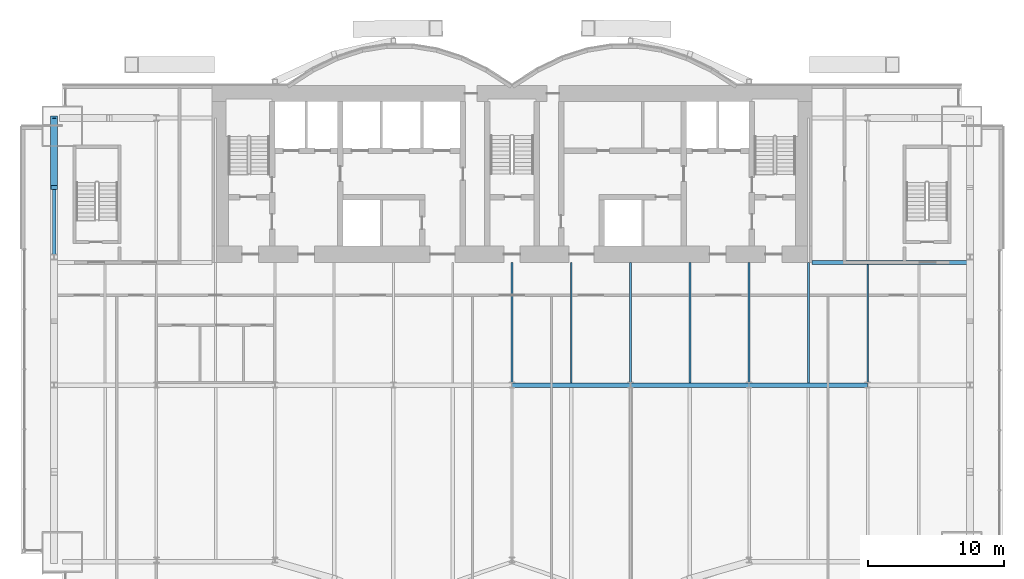
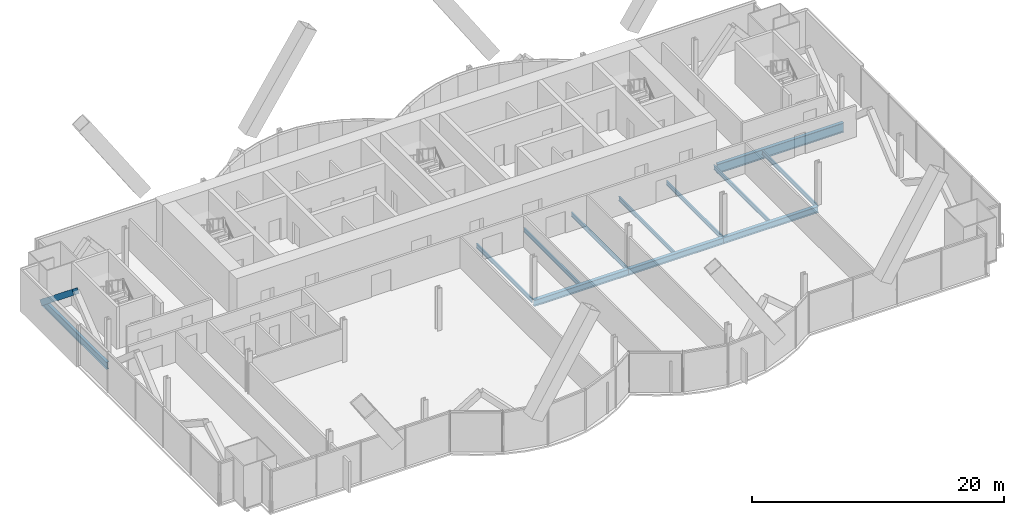
# One storey, part 9 of 21: 12 beams, 1 member.
"""IFC4 building model written with IfcOpenShell, lengths in metres."""

from ifc_helpers import new_model, si_unit, direction, frame, origin, origin_2d, place, context, subcontext, project, spatial, hollow_rectangle, i_section, extrude, material, material_profile, profile_set, type_object, element, save


model = new_model("IFC4")

# Units and contexts
model_context = context("Model", 3, precision=1e-05, world=origin(), true_north=direction((0.0, 1.0)))
body_context = subcontext(model_context, "Body", "Model", "MODEL_VIEW")
ifc_project = project(units=[si_unit("LENGTHUNIT", "METRE"), si_unit("AREAUNIT", "SQUARE_METRE"), si_unit("VOLUMEUNIT", "CUBIC_METRE"), si_unit("PLANEANGLEUNIT", "RADIAN"), si_unit("MASSUNIT", "GRAM", prefix="KILO")], contexts=[model_context])

# Site, building, storey
site_placement = place(None, origin())
site = spatial("IfcSite", under=ifc_project, at=site_placement, CompositionType="ELEMENT")
building_placement = place(site_placement, origin())
building = spatial("IfcBuilding", under=site, at=building_placement, Name="Bicima Exchange Tower", CompositionType="ELEMENT")
storey_placement = place(building_placement, frame((0.0, 0.0, 118.60009765625)))
storey = spatial("IfcBuildingStorey", under=building, at=storey_placement, Name="L25", CompositionType="ELEMENT", Elevation=118.60009765625)

# Beams
ifc_material_1 = material(Name="Steel ASTM A992 Gr 50", Category="steel")
ifc_material_profile_1 = material_profile(ifc_material_1, i_section(OverallWidth=0.3046875, OverallDepth=0.911865234375, WebThickness=0.015869140625, FlangeThickness=0.02392578125, at=origin_2d()))
ifc_profile_set_1 = profile_set([ifc_material_profile_1], Name="Steel ASTM A992 Gr 50")
beam_type_1 = type_object("IfcBeamType", Name="Core-line girder W36x150", PredefinedType="BEAM", material=ifc_profile_set_1)
beam_1_placement = place(storey_placement, frame((22.0, -13.0, -0.60595703125), z_axis=(1.0, 0.0, 0.0), x_axis=(0.0, 1.0, 0.0)))
element("IfcBeam", 1, at=beam_1_placement, inside=storey, type_object=beam_type_1, Name="Core-line girder", PredefinedType="BEAM", context=body_context, shape_type="SweptSolid", body=[
    extrude(i_section(OverallWidth=0.3046875, OverallDepth=0.911865234375, WebThickness=0.015869140625, FlangeThickness=0.02392578125, at=origin_2d()), origin(), (0.0, 0.0, 1.0), 11.60009765625),
])
ifc_material_profile_2 = material_profile(ifc_material_1, i_section(OverallWidth=0.256591796875, OverallDepth=0.693359375, WebThickness=0.014404296875, FlangeThickness=0.023681640625, at=origin_2d()))
ifc_profile_set_2 = profile_set([ifc_material_profile_2], Name="Steel ASTM A992 Gr 50")
beam_type_2 = type_object("IfcBeamType", Name="End girder W27x114", PredefinedType="BEAM", material=ifc_profile_set_2)
beam_2_placement = place(storey_placement, frame((-33.60009765625, -2.39990234375, -0.496826171875), z_axis=(0.0, -1.0, 0.0), x_axis=(1.0, 0.0, 0.0)))
element("IfcBeam", 2, at=beam_2_placement, inside=storey, type_object=beam_type_2, Name="End girder", PredefinedType="BEAM", context=body_context, shape_type="SweptSolid", body=[
    extrude(i_section(OverallWidth=0.256591796875, OverallDepth=0.693359375, WebThickness=0.014404296875, FlangeThickness=0.023681640625, at=origin_2d()), origin(), (0.0, 0.0, 1.0), 10.2001953125),
])
ifc_material_profile_3 = material_profile(ifc_material_1, i_section(OverallWidth=0.140380859375, OverallDepth=0.40380859375, WebThickness=0.007080078125, FlangeThickness=0.01123046875, at=origin_2d()))
ifc_profile_set_3 = profile_set([ifc_material_profile_3], Name="Steel ASTM A992 Gr 50")
beam_type_3 = type_object("IfcBeamType", Name="Floor beam W16x31", PredefinedType="JOIST", material=ifc_profile_set_3)
for number, where, z_axis, x_axis, name in (
    (3, (0.0, -13.0, -0.35205078125), (0.0, -1.0, 0.0), (1.0, 0.0, 0.0), "Floor beam"),
    (4, (4.35009765625, -13.0, -0.35205078125), (0.0, -1.0, 0.0), (1.0, 0.0, 0.0), "Floor beam"),
    (5, (8.699951171875, -13.0, -0.35205078125), (0.0, -1.0, 0.0), (1.0, 0.0, 0.0), "Floor beam"),
    (6, (13.050048828125, -13.0, -0.35205078125), (0.0, -1.0, 0.0), (1.0, 0.0, 0.0), "Floor beam"),
    (7, (17.39990234375, -13.0, -0.35205078125), (0.0, -1.0, 0.0), (1.0, 0.0, 0.0), "Floor beam"),
    (8, (21.75, -13.0, -0.35205078125), (0.0, -1.0, 0.0), (1.0, 0.0, 0.0), "Floor beam"),
):
    element("IfcBeam", number, at=place(storey_placement, frame(where, z_axis=z_axis, x_axis=x_axis)), inside=storey, type_object=beam_type_3, Name=name, PredefinedType="JOIST", context=body_context, shape_type="SweptSolid", body=[
        extrude(i_section(OverallWidth=0.140380859375, OverallDepth=0.40380859375, WebThickness=0.007080078125, FlangeThickness=0.01123046875, at=origin_2d()), origin(), (0.0, 0.0, 1.0), 8.83740234375),
    ])
beam_3_placement = place(storey_placement, frame((26.10009765625, -13.15234375, -0.35205078125), z_axis=(0.0, -1.0, 0.0), x_axis=(1.0, 0.0, 0.0)))
element("IfcBeam", 9, at=beam_3_placement, inside=storey, type_object=beam_type_3, Name="Floor beam", PredefinedType="JOIST", context=body_context, shape_type="SweptSolid", body=[
    extrude(i_section(OverallWidth=0.140380859375, OverallDepth=0.40380859375, WebThickness=0.007080078125, FlangeThickness=0.01123046875, at=origin_2d()), origin(), (0.0, 0.0, 1.0), 8.68505859375),
])

# Member
ifc_material_2 = material(Name="Steel ASTM A572 Gr 50", Category="steel")
ifc_material_profile_4 = material_profile(ifc_material_2, hollow_rectangle(XDim=0.508056640625, YDim=0.508056640625, WallThickness=0.0146484375, at=origin_2d()))
ifc_profile_set_4 = profile_set([ifc_material_profile_4], Name="Steel ASTM A572 Gr 50")
member_type = type_object("IfcMemberType", Name="Mega brace HSS20x20x5/8", PredefinedType="BRACE", material=ifc_profile_set_4)
member_placement = place(storey_placement, frame((-33.60009765625, -2.39990234375, -0.496826171875), z_axis=(0.0, -0.779374241895, 0.626558689247), x_axis=(1.0, 0.0, 0.0)))
element("IfcMember", 10, at=member_placement, inside=storey, type_object=member_type, Name="Mega brace west end", PredefinedType="BRACE", context=body_context, shape_type="SweptSolid", body=[
    extrude(hollow_rectangle(XDim=0.508056640625, YDim=0.508056640625, WallThickness=0.0146484375, at=origin_2d()), origin(), (0.0, 0.0, 1.0), 6.5439453125),
])

# Beams
ifc_material_profile_5 = material_profile(ifc_material_1, i_section(OverallWidth=0.3251953125, OverallDepth=0.612060546875, WebThickness=0.0126953125, FlangeThickness=0.01904296875, at=origin_2d()))
ifc_profile_set_5 = profile_set([ifc_material_profile_5], Name="Steel ASTM A992 Gr 50")
beam_type_4 = type_object("IfcBeamType", Name="Row girder W24x104", PredefinedType="BEAM", material=ifc_profile_set_5)
for number, where, z_axis, x_axis, name in (
    (11, (0.0, -22.0, -0.456298828125), (1.0, 0.0, 0.0), (0.0, 1.0, 0.0), "Row girder"),
    (12, (8.699951171875, -22.0, -0.456298828125), (1.0, 0.0, 0.0), (0.0, 1.0, 0.0), "Row girder"),
):
    element("IfcBeam", number, at=place(storey_placement, frame(where, z_axis=z_axis, x_axis=x_axis)), inside=storey, type_object=beam_type_4, Name=name, PredefinedType="BEAM", context=body_context, shape_type="SweptSolid", body=[
        extrude(i_section(OverallWidth=0.3251953125, OverallDepth=0.612060546875, WebThickness=0.0126953125, FlangeThickness=0.01904296875, at=origin_2d()), origin(), (0.0, 0.0, 1.0), 8.699951171875),
    ])
beam_4_placement = place(storey_placement, frame((17.39990234375, -22.0, -0.456298828125), z_axis=(1.0, 0.0, 0.0), x_axis=(0.0, 1.0, 0.0)))
element("IfcBeam", 13, at=beam_4_placement, inside=storey, type_object=beam_type_4, Name="Row girder", PredefinedType="BEAM", context=body_context, shape_type="SweptSolid", body=[
    extrude(i_section(OverallWidth=0.3251953125, OverallDepth=0.612060546875, WebThickness=0.0126953125, FlangeThickness=0.01904296875, at=origin_2d()), origin(), (0.0, 0.0, 1.0), 8.7001953125),
])

save(model, "model.ifc")
